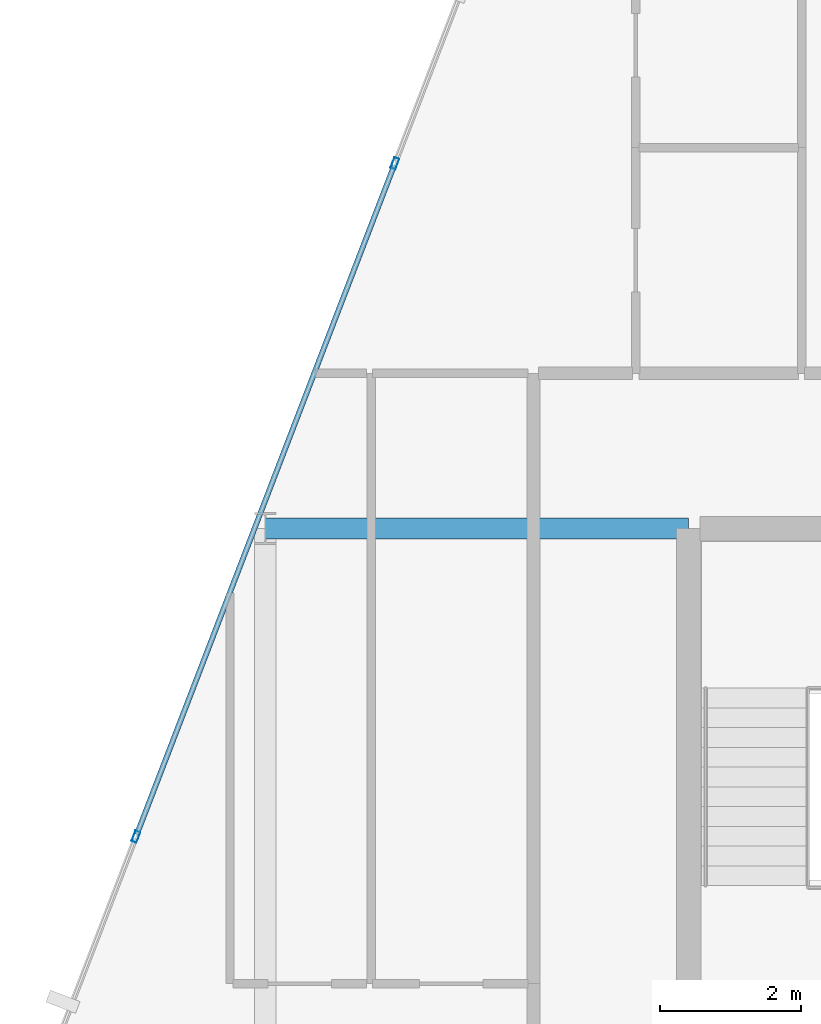
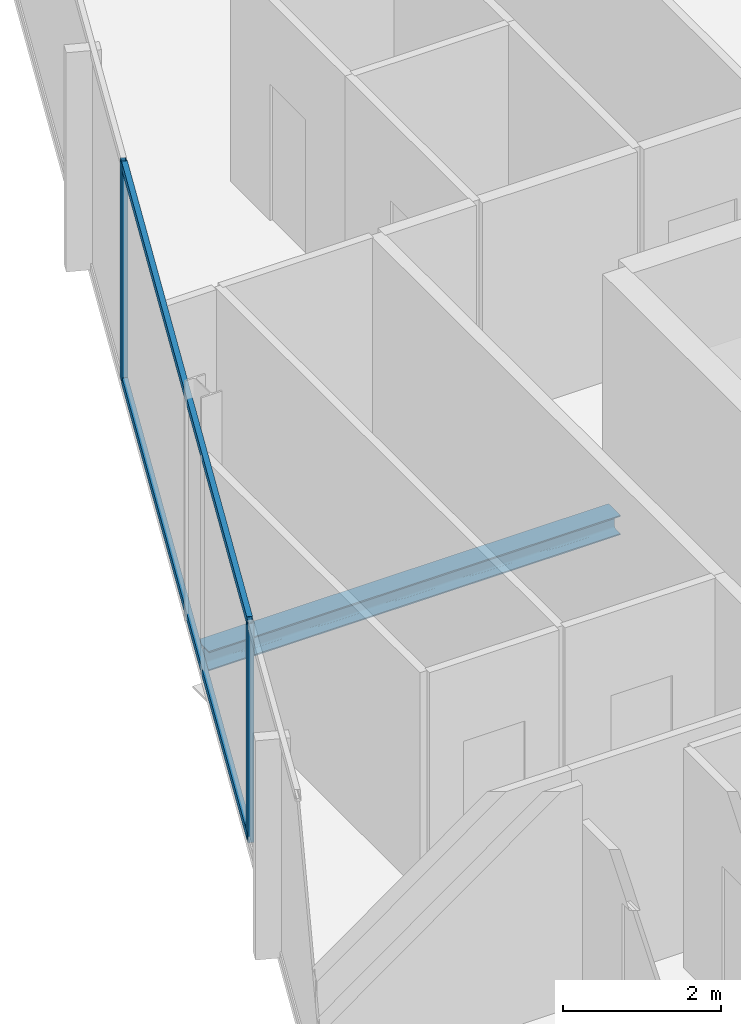
# One storey, part 16 of 29: 4 members, 1 beam, 1 element without a shape of its own.
"""IFC4 building model written with IfcOpenShell, lengths in metres."""

from ifc_helpers import new_model, si_unit, direction, frame, origin, origin_2d, place, context, subcontext, project, spatial, hollow_rectangle, i_section, extrude, material, layer, layer_set, material_profile, profile_set, type_object, element, aggregate, save


model = new_model("IFC4")

# Units and contexts
model_context = context("Model", 3, precision=1e-05, world=origin(), true_north=direction((0.0, 1.0)))
body_context = subcontext(model_context, "Body", "Model", "MODEL_VIEW")
ifc_project = project(units=[si_unit("LENGTHUNIT", "METRE"), si_unit("AREAUNIT", "SQUARE_METRE"), si_unit("VOLUMEUNIT", "CUBIC_METRE"), si_unit("PLANEANGLEUNIT", "RADIAN"), si_unit("MASSUNIT", "GRAM", prefix="KILO")], contexts=[model_context])

# Site, building, storey
site_placement = place(None, origin())
site = spatial("IfcSite", under=ifc_project, at=site_placement, CompositionType="ELEMENT")
building_placement = place(site_placement, origin())
building = spatial("IfcBuilding", under=site, at=building_placement, Name="Keshet Zoharim Tower", CompositionType="ELEMENT")
storey_placement = place(building_placement, frame((0.0, 0.0, 180.199951171875)))
storey = spatial("IfcBuildingStorey", under=building, at=storey_placement, Name="L44", CompositionType="ELEMENT", Elevation=180.199951171875)

# Beam
ifc_material_1 = material(Name="Steel S355", Category="steel")
ifc_material_profile_1 = material_profile(ifc_material_1, i_section(OverallWidth=0.300048828125, OverallDepth=0.300048828125, WebThickness=0.010986328125, FlangeThickness=0.01904296875, FilletRadius=0.027099609375, at=origin_2d()), Name="HEB300")
ifc_profile_set_1 = profile_set([ifc_material_profile_1], Name="Steel S355")
beam_type = type_object("IfcBeamType", Name="BM-PRI-HB300", PredefinedType="BEAM", material=ifc_profile_set_1)
beam_placement = place(storey_placement, frame((9.0, 37.89990234375, -0.4599609375), z_axis=(1.0, 0.0, 0.0), x_axis=(0.0, 1.0, 0.0)))
element("IfcBeam", 1, at=beam_placement, inside=storey, type_object=beam_type, Name="L44 Primary Girder X-017", PredefinedType="BEAM", context=body_context, shape_type="SweptSolid", body=[
    extrude(i_section(OverallWidth=0.300048828125, OverallDepth=0.300048828125, WebThickness=0.010986328125, FlangeThickness=0.01904296875, FilletRadius=0.027099609375, at=origin_2d()), origin(), (0.0, 0.0, 1.0), 6.0),
])

# Curtain wall, members
ifc_material_2 = material(Name="Aluminium 6063-T6", Category="aluminium")
ifc_layer = layer(ifc_material_2, 0.139892578125)
ifc_layer_set = layer_set([ifc_layer], Name="Aluminium 6063-T6")
curtain_wall_type = type_object("IfcCurtainWallType", Name="CW-SYS-05", PredefinedType="NOTDEFINED", material=ifc_layer_set)
curtain_wall_placement = place(storey_placement, origin())
curtain_wall = element("IfcCurtainWall", 2, at=curtain_wall_placement, inside=storey, type_object=curtain_wall_type, Name="L44 Unitised Curtain Wall 13", PredefinedType="NOTDEFINED")
ifc_material_profile_2 = material_profile(ifc_material_2, hollow_rectangle(XDim=0.074951171875, YDim=0.159912109375, WallThickness=0.00390625, at=origin_2d()), Name="MUL-75x160")
ifc_profile_set_2 = profile_set([ifc_material_profile_2], Name="Aluminium 6063-T6")
member_type_1 = type_object("IfcMemberType", Name="CWM-M15", PredefinedType="MULLION", material=ifc_profile_set_2)
member_1_placement = place(storey_placement, frame((7.1669921875, 33.53466796875, 0.0), z_axis=(0.0, 0.0, 1.0), x_axis=(-0.933341404361, 0.358990003907, 0.0)))
member_1 = element("IfcMember", 3, at=member_1_placement, type_object=member_type_1, Name="CW-05 mullion 2", PredefinedType="MULLION", context=body_context, shape_type="SweptSolid", body=[
    extrude(hollow_rectangle(XDim=0.074951171875, YDim=0.159912109375, WallThickness=0.00390625, at=origin_2d()), origin(), (0.0, 0.0, 1.0), 3.380126953125),
])
member_2_placement = place(storey_placement, frame((10.8369140625, 43.076416015625, 0.0), z_axis=(0.0, 0.0, 1.0), x_axis=(-0.933341404361, 0.358990003907, 0.0)))
member_2 = element("IfcMember", 4, at=member_2_placement, type_object=member_type_1, Name="CW-05 mullion 3", PredefinedType="MULLION", context=body_context, shape_type="SweptSolid", body=[
    extrude(hollow_rectangle(XDim=0.074951171875, YDim=0.159912109375, WallThickness=0.00390625, at=origin_2d()), origin(), (0.0, 0.0, 1.0), 3.380126953125),
])
ifc_material_profile_3 = material_profile(ifc_material_2, hollow_rectangle(XDim=0.074951171875, YDim=0.1201171875, WallThickness=0.00390625, at=origin_2d()), Name="TRN-75x120")
ifc_profile_set_3 = profile_set([ifc_material_profile_3], Name="Aluminium 6063-T6")
member_type_2 = type_object("IfcMemberType", Name="CWT-T12", PredefinedType="USERDEFINED", material=ifc_profile_set_3)
member_3_placement = place(storey_placement, frame((7.179443359375, 33.5673828125, 0.03515625), z_axis=(0.359003248899, 0.933336309848, 0.0), x_axis=(-0.933336309848, 0.359003248899, 0.0)))
member_3 = element("IfcMember", 5, at=member_3_placement, type_object=member_type_2, Name="CW-05 transom 2.1", ObjectType="TRANSOM", PredefinedType="USERDEFINED", context=body_context, shape_type="SweptSolid", body=[
    extrude(hollow_rectangle(XDim=0.074951171875, YDim=0.1201171875, WallThickness=0.00390625, at=origin_2d()), origin(), (0.0, 0.0, 1.0), 10.153076171875),
])
member_4_placement = place(storey_placement, frame((7.179443359375, 33.5673828125, 3.344970703125), z_axis=(0.359003248899, 0.933336309848, 0.0), x_axis=(-0.933336309848, 0.359003248899, 0.0)))
member_4 = element("IfcMember", 6, at=member_4_placement, type_object=member_type_2, Name="CW-05 transom 2.2", ObjectType="TRANSOM", PredefinedType="USERDEFINED", context=body_context, shape_type="SweptSolid", body=[
    extrude(hollow_rectangle(XDim=0.074951171875, YDim=0.1201171875, WallThickness=0.00390625, at=origin_2d()), origin(), (0.0, 0.0, 1.0), 10.153076171875),
])
aggregate(curtain_wall, [member_1, member_2, member_3, member_4])

save(model, "model.ifc")
